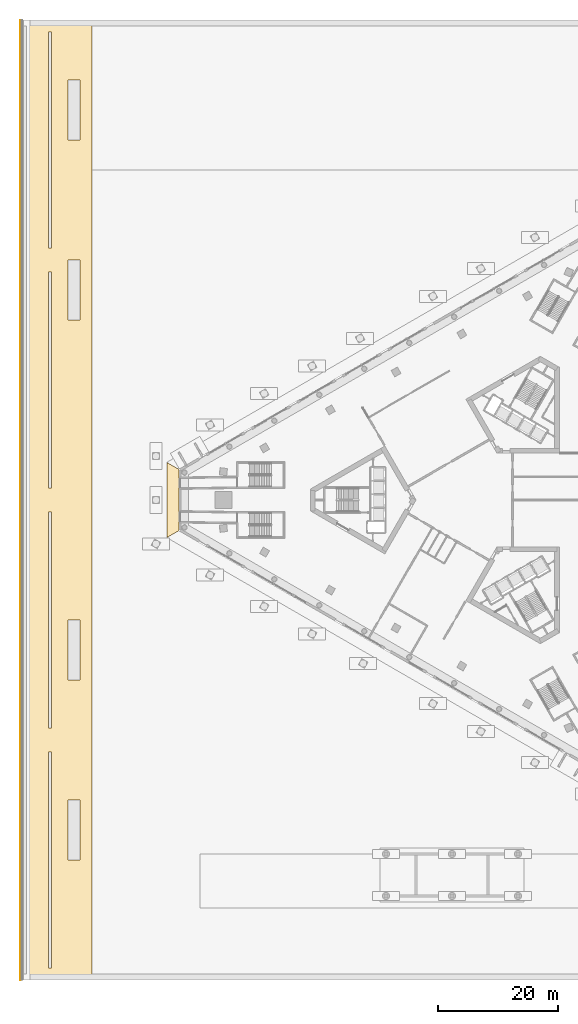
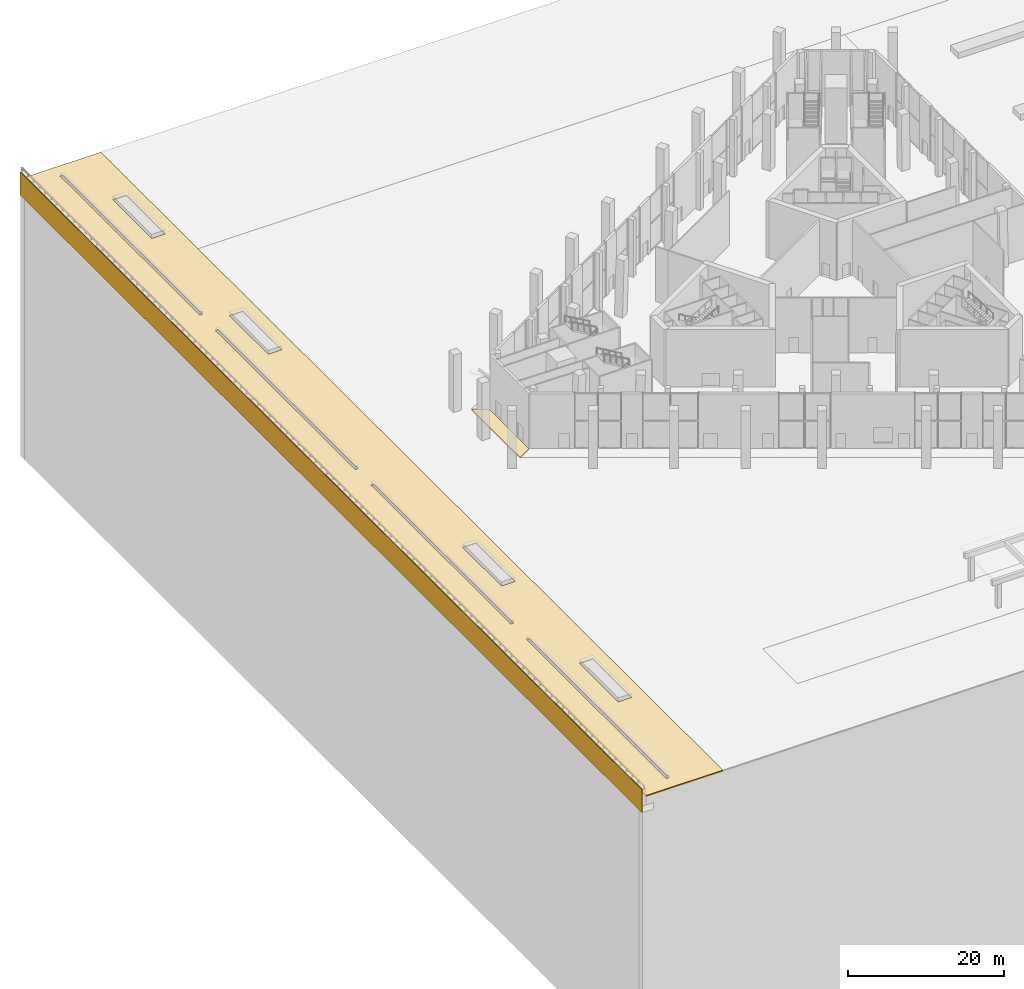
# One storey, part 47 of 63: 3 coverings.
"""IFC4 building model written with IfcOpenShell, lengths in metres."""

from ifc_helpers import new_model, si_unit, direction, frame, origin, place, context, subcontext, project, spatial, polyline, outline, extrude, material, layer, layer_set, type_object, element, save


model = new_model("IFC4")

# Units and contexts
model_context = context("Model", 3, precision=1e-05, world=origin(), true_north=direction((0.0, 1.0)))
body_context = subcontext(model_context, "Body", "Model", "MODEL_VIEW")
ifc_project = project(units=[si_unit("LENGTHUNIT", "METRE"), si_unit("AREAUNIT", "SQUARE_METRE"), si_unit("VOLUMEUNIT", "CUBIC_METRE"), si_unit("PLANEANGLEUNIT", "RADIAN"), si_unit("MASSUNIT", "GRAM", prefix="KILO")], contexts=[model_context])

# Site, building, storey
site_placement = place(None, origin())
site = spatial("IfcSite", under=ifc_project, at=site_placement, CompositionType="ELEMENT")
building_placement = place(site_placement, origin())
building = spatial("IfcBuilding", under=site, at=building_placement, Name="Jabali Bay Hotel Tower and Convention Centre", CompositionType="ELEMENT")
storey_placement = place(building_placement, origin())
storey = spatial("IfcBuildingStorey", under=building, at=storey_placement, Name="L00", CompositionType="ELEMENT", Elevation=0.0)

# Coverings
ifc_material_1 = material(Name="Precast concrete paving flags", Category="concrete")
ifc_layer_1 = layer(ifc_material_1, 0.199951171875)
ifc_layer_set_1 = layer_set([ifc_layer_1], Name="Precast concrete paving flags")
covering_type_1 = type_object("IfcCoveringType", Name="Podium apron paving 200", PredefinedType="USERDEFINED", material=ifc_layer_set_1)
covering_1_placement = place(storey_placement, frame((0.0, 0.0, -0.199951171875)))
element("IfcCovering", 1, at=covering_1_placement, inside=storey, type_object=covering_type_1, Name="Apron paving west chamfer", ObjectType="PAVING", PredefinedType="USERDEFINED", context=body_context, shape_type="SweptSolid", body=[
    extrude(outline(polyline([(26.460205078125, 85.115478515625), (26.460205078125, 74.884521484375), (24.460205078125, 73.729736328125), (24.460205078125, 86.270263671875), (26.460205078125, 85.115478515625)])), origin(), (0.0, 0.0, 1.0), 0.199951171875),
])
ifc_material_2 = material(Name="Granite cladding", Category="masonry")
ifc_layer_2 = layer(ifc_material_2, 0.10009765625)
ifc_layer_set_2 = layer_set([ifc_layer_2], Name="Granite cladding")
covering_type_2 = type_object("IfcCoveringType", Name="Quay wall stone facing 100", PredefinedType="CLADDING", material=ifc_layer_set_2)
covering_2_placement = place(storey_placement, frame((0.0, 0.0, -2.5)))
element("IfcCovering", 2, at=covering_2_placement, inside=storey, type_object=covering_type_2, Name="Quay wall stone facing", PredefinedType="CLADDING", context=body_context, shape_type="SweptSolid", body=[
    extrude(outline(polyline([(0.10009765625, 0.0), (0.10009765625, 160.0), (0.0, 160.0), (0.0, 0.0), (0.10009765625, 0.0)])), origin(), (0.0, 0.0, 1.0), 3.60009765625),
])
ifc_layer_3 = layer(ifc_material_1, 0.14990234375)
ifc_layer_set_3 = layer_set([ifc_layer_3], Name="Precast concrete paving flags")
covering_type_3 = type_object("IfcCoveringType", Name="SI Paving 150", PredefinedType="USERDEFINED", material=ifc_layer_set_3)
covering_3_placement = place(storey_placement, frame((0.0, 0.0, -0.14990234375)))
element("IfcCovering", 3, at=covering_3_placement, inside=storey, type_object=covering_type_3, Name="SI waterfront promenade paving", ObjectType="PAVING", PredefinedType="USERDEFINED", context=body_context, shape_type="SweptSolid", body=[
    extrude(outline(polyline([(0.60009765625, 0.0), (12.0, 0.0), (12.0, 160.0), (0.60009765625, 160.0), (0.60009765625, 0.0)]), holes=[polyline([(4.77490234375, 38.0), (5.22509765625, 38.0), (5.22509765625, 2.0), (4.77490234375, 2.0), (4.77490234375, 38.0)]), polyline([(8.0, 30.0), (10.0, 30.0), (10.0, 20.0), (8.0, 20.0), (8.0, 30.0)]), polyline([(8.0, 60.0), (10.0, 60.0), (10.0, 50.0), (8.0, 50.0), (8.0, 60.0)]), polyline([(4.77490234375, 78.0), (5.22509765625, 78.0), (5.22509765625, 42.0), (4.77490234375, 42.0), (4.77490234375, 78.0)]), polyline([(4.77490234375, 118.0), (5.22509765625, 118.0), (5.22509765625, 82.0), (4.77490234375, 82.0), (4.77490234375, 118.0)]), polyline([(8.0, 120.0), (10.0, 120.0), (10.0, 110.0), (8.0, 110.0), (8.0, 120.0)]), polyline([(4.77490234375, 158.0), (5.22509765625, 158.0), (5.22509765625, 122.0), (4.77490234375, 122.0), (4.77490234375, 158.0)]), polyline([(8.0, 150.0), (10.0, 150.0), (10.0, 140.0), (8.0, 140.0), (8.0, 150.0)])]), origin(), (0.0, 0.0, 1.0), 0.14990234375),
])

save(model, "model.ifc")
